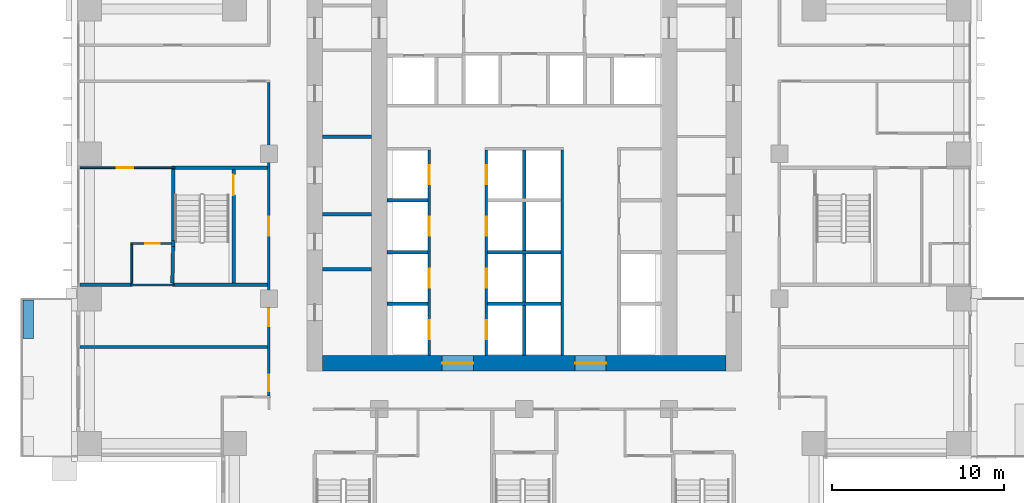
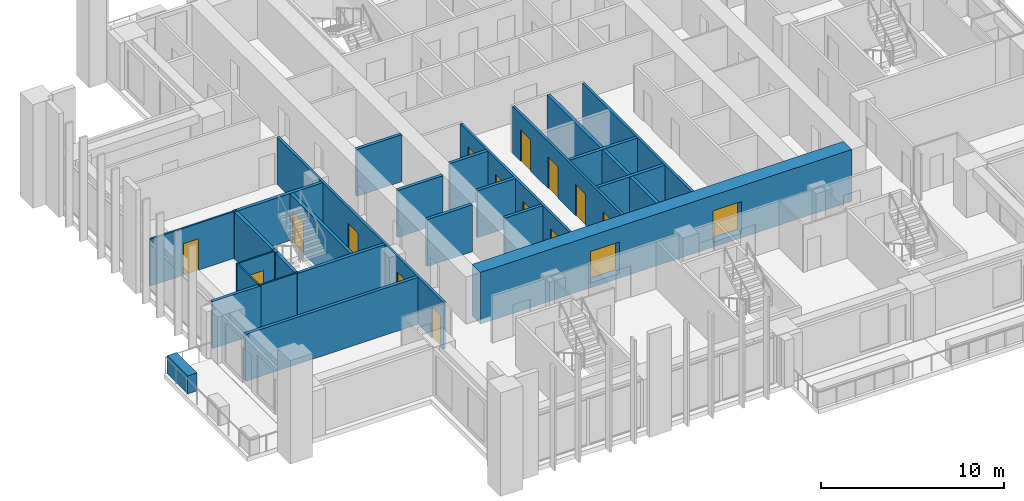
# One storey, part 9 of 19: 27 walls, 16 doors, 16 openings.
"""IFC4 building model written with IfcOpenShell, lengths in metres."""

from ifc_helpers import new_model, si_unit, direction, frame, frame_2d, origin, place, context, subcontext, project, spatial, rectangle, extrude, material, layer, layer_set, type_object, element, fill, save


model = new_model("IFC4")

# Units and contexts
model_context = context("Model", 3, precision=1e-05, world=origin(), true_north=direction((0.0, 1.0)))
body_context = subcontext(model_context, "Body", "Model", "MODEL_VIEW")
ifc_project = project(units=[si_unit("LENGTHUNIT", "METRE"), si_unit("AREAUNIT", "SQUARE_METRE"), si_unit("VOLUMEUNIT", "CUBIC_METRE"), si_unit("PLANEANGLEUNIT", "RADIAN"), si_unit("MASSUNIT", "GRAM", prefix="KILO")], contexts=[model_context])

# Site, building, storey
site_placement = place(None, origin())
site = spatial("IfcSite", under=ifc_project, at=site_placement, CompositionType="ELEMENT")
building_placement = place(site_placement, origin())
building = spatial("IfcBuilding", under=site, at=building_placement, Name="Vermilion Ogive Tower", CompositionType="ELEMENT")
storey_placement = place(building_placement, frame((0.0, 0.0, 62.10009765625)))
storey = spatial("IfcBuildingStorey", under=building, at=storey_placement, Name="L14", CompositionType="ELEMENT", Elevation=62.10009765625)

# Wall, openings, doors
ifc_material_1 = material(Name="Concrete B80", Category="concrete")
ifc_layer_1 = layer(ifc_material_1, 0.89990234375)
ifc_layer_set_1 = layer_set([ifc_layer_1], Name="Core wall 900 B80")
wall_type_1 = type_object("IfcWallType", Name="Core wall 900 B80", PredefinedType="SHEAR", material=ifc_layer_set_1)
wall_1_placement = place(storey_placement, frame((-11.699951171875, -7.949951171875, -0.320068359375), z_axis=(0.0, 0.0, 1.0), x_axis=(1.0, 0.0, 0.0)))
wall_1 = element("IfcWall", 1, at=wall_1_placement, inside=storey, type_object=wall_type_1, Name="L14-CORE-S", PredefinedType="SHEAR", context=body_context, shape_type="SweptSolid", body=[
    extrude(rectangle(XDim=23.39990234375, YDim=0.89990234375, at=frame_2d((11.699951171875, 0.0))), origin(), (0.0, 0.0, 1.0), 3.449951171875),
])
opening_1_placement = place(wall_1_placement, frame((6.949951171875, 0.0, 0.320068359375)))
opening_1 = element("IfcOpeningElement", 2, at=opening_1_placement, cuts=wall_1, Name="Opening DAH009", PredefinedType="OPENING", context=body_context, shape_type="SweptSolid", body=[
    extrude(rectangle(XDim=1.800048828125, YDim=2.10009765625, at=frame_2d((0.89990234375, 1.050048828125))), frame((0.0, 0.4599609375, 0.0), z_axis=(0.0, -1.0, 0.0), x_axis=(1.0, 0.0, 0.0)), (0.0, 0.0, 1.0), 0.919921875),
])
opening_2_placement = place(wall_1_placement, frame((14.64990234375, 0.0, 0.320068359375)))
opening_2 = element("IfcOpeningElement", 3, at=opening_2_placement, cuts=wall_1, Name="Opening DAH010", PredefinedType="OPENING", context=body_context, shape_type="SweptSolid", body=[
    extrude(rectangle(XDim=1.800048828125, YDim=2.10009765625, at=frame_2d((0.89990234375, 1.050048828125))), frame((0.0, 0.4599609375, 0.0), z_axis=(0.0, -1.0, 0.0), x_axis=(1.0, 0.0, 0.0)), (0.0, 0.0, 1.0), 0.919921875),
])
ifc_material_2 = material(Name="Timber door leaf", Category="wood")
door_type_1 = type_object("IfcDoorType", Name="Core entry door 1800 x 2100 FD60S", OperationType="DOUBLE_DOOR_SINGLE_SWING", PredefinedType="DOOR", material=ifc_material_2)
door_1_placement = place(opening_1_placement, origin())
door_1 = element("IfcDoor", 4, at=door_1_placement, inside=storey, type_object=door_type_1, Name="L14-CK-XD1", OperationType="SINGLE_SWING_LEFT", OverallHeight=2.10009765625, OverallWidth=1.800048828125, PredefinedType="DOOR", context=body_context, shape_type="SweptSolid", body=[
    extrude(rectangle(XDim=1.800048828125, YDim=2.10009765625, at=frame_2d((0.89990234375, 1.050048828125))), frame((0.0, 0.02490234375, 0.0), z_axis=(0.0, -1.0, 0.0), x_axis=(1.0, 0.0, 0.0)), (0.0, 0.0, 1.0), 0.050048828125),
])
fill(opening_1, door_1)
door_2_placement = place(opening_2_placement, origin())
door_2 = element("IfcDoor", 5, at=door_2_placement, inside=storey, type_object=door_type_1, Name="L14-CK-XD2", OperationType="SINGLE_SWING_LEFT", OverallHeight=2.10009765625, OverallWidth=1.800048828125, PredefinedType="DOOR", context=body_context, shape_type="SweptSolid", body=[
    extrude(rectangle(XDim=1.800048828125, YDim=2.10009765625, at=frame_2d((0.89990234375, 1.050048828125))), frame((0.0, 0.02490234375, 0.0), z_axis=(0.0, -1.0, 0.0), x_axis=(1.0, 0.0, 0.0)), (0.0, 0.0, 1.0), 0.050048828125),
])
fill(opening_2, door_2)

# Wall
ifc_material_3 = material(Name="Gypsum board partition on steel studs", Category="steel")
ifc_layer_2 = layer(ifc_material_3, 0.10009765625)
ifc_layer_set_2 = layer_set([ifc_layer_2], Name="Partition 100 bath")
wall_type_2 = type_object("IfcWallType", Name="Partition 100 bath", PredefinedType="PARTITIONING", material=ifc_layer_set_2)
wall_2_placement = place(storey_placement, frame((-22.800048828125, -3.39990234375, 0.0), z_axis=(0.0, 0.0, 1.0), x_axis=(1.0, 0.0, 0.0)))
element("IfcWall", 6, at=wall_2_placement, inside=storey, type_object=wall_type_2, Name="L14-W-W017", PredefinedType="PARTITIONING", context=body_context, shape_type="SweptSolid", body=[
    extrude(rectangle(XDim=2.5, YDim=0.10009765625, at=frame_2d((1.25, 0.0))), origin(), (0.0, 0.0, 1.0), 3.1298828125),
])

# Wall, opening, door
wall_3_placement = place(storey_placement, frame((-22.800048828125, -1.0, 0.0), z_axis=(0.0, 0.0, 1.0), x_axis=(1.0, 0.0, 0.0)))
wall_3 = element("IfcWall", 7, at=wall_3_placement, inside=storey, type_object=wall_type_2, Name="L14-W-W021", PredefinedType="PARTITIONING", context=body_context, shape_type="SweptSolid", body=[
    extrude(rectangle(XDim=2.35009765625, YDim=0.10009765625, at=frame_2d((1.175048828125, 0.0))), origin(), (0.0, 0.0, 1.0), 3.1298828125),
])
opening_3_placement = place(wall_3_placement, frame((0.824951171875, 0.0, 0.0)))
opening_3 = element("IfcOpeningElement", 8, at=opening_3_placement, cuts=wall_3, Name="Opening D1G5005", PredefinedType="OPENING", context=body_context, shape_type="SweptSolid", body=[
    extrude(rectangle(XDim=0.85009765625, YDim=2.10009765625, at=frame_2d((0.425048828125, 1.050048828125))), frame((0.0, 0.06005859375, 0.0), z_axis=(0.0, -1.0, 0.0), x_axis=(1.0, 0.0, 0.0)), (0.0, 0.0, 1.0), 0.1201171875),
])
ifc_material_4 = material(Name="Timber door leaf", Category="wood")
door_type_2 = type_object("IfcDoorType", Name="Bath door 850 x 2100 FD30", OperationType="SINGLE_SWING_LEFT", PredefinedType="DOOR", material=ifc_material_4)
door_3_placement = place(opening_3_placement, origin())
door_3 = element("IfcDoor", 9, at=door_3_placement, inside=storey, type_object=door_type_2, Name="L14-D-D005", OperationType="SINGLE_SWING_RIGHT", OverallHeight=2.10009765625, OverallWidth=0.85009765625, PredefinedType="DOOR", context=body_context, shape_type="SweptSolid", body=[
    extrude(rectangle(XDim=0.85009765625, YDim=2.10009765625, at=frame_2d((0.425048828125, 1.050048828125))), frame((0.0, 0.02490234375, 0.0), z_axis=(0.0, -1.0, 0.0), x_axis=(1.0, 0.0, 0.0)), (0.0, 0.0, 1.0), 0.050048828125),
])
fill(opening_3, door_3)

# Wall
wall_4_placement = place(storey_placement, frame((-22.75, -3.300048828125, 0.0), z_axis=(0.0, 0.0, 1.0), x_axis=(0.0, 1.0, 0.0)))
element("IfcWall", 10, at=wall_4_placement, inside=storey, type_object=wall_type_2, Name="L14-W-W036", PredefinedType="PARTITIONING", context=body_context, shape_type="SweptSolid", body=[
    extrude(rectangle(XDim=2.25, YDim=0.10009765625, at=frame_2d((1.125, 0.0))), origin(), (0.0, 0.0, 1.0), 3.1298828125),
])

# Wall, opening, door
ifc_material_5 = material(Name="Gypsum board partition on steel studs", Category="steel")
ifc_layer_3 = layer(ifc_material_5, 0.10009765625)
ifc_layer_set_3 = layer_set([ifc_layer_3], Name="Partition 100 inner")
wall_type_3 = type_object("IfcWallType", Name="Partition 100 inner", PredefinedType="PARTITIONING", material=ifc_layer_set_3)
wall_5_placement = place(storey_placement, frame((-25.75, 3.39990234375, 0.0), z_axis=(0.0, 0.0, 1.0), x_axis=(1.0, 0.0, 0.0)))
wall_5 = element("IfcWall", 11, at=wall_5_placement, inside=storey, type_object=wall_type_3, Name="L14-W-W023", PredefinedType="PARTITIONING", context=body_context, shape_type="SweptSolid", body=[
    extrude(rectangle(XDim=5.5, YDim=0.10009765625, at=frame_2d((2.75, 0.0))), origin(), (0.0, 0.0, 1.0), 3.1298828125),
])
opening_4_placement = place(wall_5_placement, frame((2.125, 0.0, 0.0)))
opening_4 = element("IfcOpeningElement", 12, at=opening_4_placement, cuts=wall_5, Name="Opening D1G5004", PredefinedType="OPENING", context=body_context, shape_type="SweptSolid", body=[
    extrude(rectangle(XDim=0.949951171875, YDim=2.10009765625, at=frame_2d((0.47509765625, 1.050048828125))), frame((0.0, 0.06005859375, 0.0), z_axis=(0.0, -1.0, 0.0), x_axis=(1.0, 0.0, 0.0)), (0.0, 0.0, 1.0), 0.1201171875),
])
ifc_material_6 = material(Name="Timber door leaf", Category="wood")
door_type_3 = type_object("IfcDoorType", Name="Inner door 950 x 2100 FD30", OperationType="SINGLE_SWING_LEFT", PredefinedType="DOOR", material=ifc_material_6)
door_4_placement = place(opening_4_placement, origin())
door_4 = element("IfcDoor", 13, at=door_4_placement, inside=storey, type_object=door_type_3, Name="L14-D-D004", OperationType="SINGLE_SWING_LEFT", OverallHeight=2.10009765625, OverallWidth=0.949951171875, PredefinedType="DOOR", context=body_context, shape_type="SweptSolid", body=[
    extrude(rectangle(XDim=0.949951171875, YDim=2.10009765625, at=frame_2d((0.47509765625, 1.050048828125))), frame((0.0, 0.02490234375, 0.0), z_axis=(0.0, -1.0, 0.0), x_axis=(1.0, 0.0, 0.0)), (0.0, 0.0, 1.0), 0.050048828125),
])
fill(opening_4, door_4)

# Wall, openings, doors
ifc_material_7 = material(Name="Gypsum board partition on steel studs", Category="steel")
ifc_layer_4 = layer(ifc_material_7, 0.14990234375)
ifc_layer_set_4 = layer_set([ifc_layer_4], Name="Partition 150 corridor")
wall_type_4 = type_object("IfcWallType", Name="Partition 150 corridor", PredefinedType="PARTITIONING", material=ifc_layer_set_4)
wall_6_placement = place(storey_placement, frame((-14.800048828125, -9.85009765625, 0.0), z_axis=(0.0, 0.0, 1.0), x_axis=(0.0, 1.0, 0.0)))
wall_6 = element("IfcWall", 14, at=wall_6_placement, inside=storey, type_object=wall_type_4, Name="L14-W-W042", PredefinedType="PARTITIONING", context=body_context, shape_type="SweptSolid", body=[
    extrude(rectangle(XDim=18.175048828125, YDim=0.14990234375, at=frame_2d((9.08740234375, 0.0))), origin(), (0.0, 0.0, 1.0), 3.1298828125),
])
opening_5_placement = place(wall_6_placement, frame((0.300048828125, 0.0, 0.0)))
opening_5 = element("IfcOpeningElement", 15, at=opening_5_placement, cuts=wall_6, Name="Opening D1G5001", PredefinedType="OPENING", context=body_context, shape_type="SweptSolid", body=[
    extrude(rectangle(XDim=0.949951171875, YDim=2.10009765625, at=frame_2d((0.47509765625, 1.050048828125))), frame((0.0, 0.0849609375, 0.0), z_axis=(0.0, -1.0, 0.0), x_axis=(1.0, 0.0, 0.0)), (0.0, 0.0, 1.0), 0.169921875),
])
opening_6_placement = place(wall_6_placement, frame((9.300048828125, 0.0, 0.0)))
opening_6 = element("IfcOpeningElement", 16, at=opening_6_placement, cuts=wall_6, Name="Opening D1G5029", PredefinedType="OPENING", context=body_context, shape_type="SweptSolid", body=[
    extrude(rectangle(XDim=1.10009765625, YDim=2.10009765625, at=frame_2d((0.550048828125, 1.050048828125))), frame((0.0, 0.0849609375, 0.0), z_axis=(0.0, -1.0, 0.0), x_axis=(1.0, 0.0, 0.0)), (0.0, 0.0, 1.0), 0.169921875),
])
opening_7_placement = place(wall_6_placement, frame((4.050048828125, 0.0, 0.0)))
opening_7 = element("IfcOpeningElement", 17, at=opening_7_placement, cuts=wall_6, Name="Opening D1G5031", PredefinedType="OPENING", context=body_context, shape_type="SweptSolid", body=[
    extrude(rectangle(XDim=1.0, YDim=2.10009765625, at=frame_2d((0.5, 1.050048828125))), frame((0.0, 0.0849609375, 0.0), z_axis=(0.0, -1.0, 0.0), x_axis=(1.0, 0.0, 0.0)), (0.0, 0.0, 1.0), 0.169921875),
])
ifc_material_8 = material(Name="Timber door leaf", Category="wood")
door_type_4 = type_object("IfcDoorType", Name="Stair door 1100 x 2100 FD60S", OperationType="SINGLE_SWING_LEFT", PredefinedType="DOOR", material=ifc_material_8)
door_5_placement = place(opening_6_placement, origin())
door_5 = element("IfcDoor", 18, at=door_5_placement, inside=storey, type_object=door_type_4, Name="L14-D-D029", OperationType="SINGLE_SWING_RIGHT", OverallHeight=2.10009765625, OverallWidth=1.10009765625, PredefinedType="DOOR", context=body_context, shape_type="SweptSolid", body=[
    extrude(rectangle(XDim=1.10009765625, YDim=2.10009765625, at=frame_2d((0.550048828125, 1.050048828125))), frame((0.0, 0.02490234375, 0.0), z_axis=(0.0, -1.0, 0.0), x_axis=(1.0, 0.0, 0.0)), (0.0, 0.0, 1.0), 0.050048828125),
])
fill(opening_6, door_5)
ifc_material_9 = material(Name="Timber door leaf", Category="wood")
door_type_5 = type_object("IfcDoorType", Name="Unit door 1000 x 2100 FD30S", OperationType="SINGLE_SWING_LEFT", PredefinedType="DOOR", material=ifc_material_9)
door_6_placement = place(opening_7_placement, origin())
door_6 = element("IfcDoor", 19, at=door_6_placement, inside=storey, type_object=door_type_5, Name="L14-D-D031", OperationType="SINGLE_SWING_LEFT", OverallHeight=2.10009765625, OverallWidth=1.0, PredefinedType="DOOR", context=body_context, shape_type="SweptSolid", body=[
    extrude(rectangle(XDim=1.0, YDim=2.10009765625, at=frame_2d((0.5, 1.050048828125))), frame((0.0, 0.02490234375, 0.0), z_axis=(0.0, -1.0, 0.0), x_axis=(1.0, 0.0, 0.0)), (0.0, 0.0, 1.0), 0.050048828125),
])
fill(opening_7, door_6)
ifc_material_10 = material(Name="Timber door leaf", Category="wood")
door_type_6 = type_object("IfcDoorType", Name="Unit door 950 x 2100 FD30S", OperationType="SINGLE_SWING_LEFT", PredefinedType="DOOR", material=ifc_material_10)
door_7_placement = place(opening_5_placement, origin())
door_7 = element("IfcDoor", 20, at=door_7_placement, inside=storey, type_object=door_type_6, Name="L14-D-D001", OperationType="SINGLE_SWING_LEFT", OverallHeight=2.10009765625, OverallWidth=0.949951171875, PredefinedType="DOOR", context=body_context, shape_type="SweptSolid", body=[
    extrude(rectangle(XDim=0.949951171875, YDim=2.10009765625, at=frame_2d((0.47509765625, 1.050048828125))), frame((0.0, 0.02490234375, 0.0), z_axis=(0.0, -1.0, 0.0), x_axis=(1.0, 0.0, 0.0)), (0.0, 0.0, 1.0), 0.050048828125),
])
fill(opening_5, door_7)

wall_7_placement = place(storey_placement, frame((-5.5, -7.4990234375, 0.0), z_axis=(0.0, 0.0, 1.0), x_axis=(0.0, 1.0, 0.0)))
wall_7 = element("IfcWall", 21, at=wall_7_placement, inside=storey, type_object=wall_type_4, Name="L14-CK-W-W022", PredefinedType="PARTITIONING", context=body_context, shape_type="SweptSolid", body=[
    extrude(rectangle(XDim=11.924072265625, YDim=0.14990234375, at=frame_2d((5.9619140625, 0.0))), origin(), (0.0, 0.0, 1.0), 3.1298828125),
])
opening_8_placement = place(wall_7_placement, frame((0.948974609375, 0.0, 0.0)))
opening_8 = element("IfcOpeningElement", 22, at=opening_8_placement, cuts=wall_7, Name="Opening DAA102", PredefinedType="OPENING", context=body_context, shape_type="SweptSolid", body=[
    extrude(rectangle(XDim=1.10009765625, YDim=2.10009765625, at=frame_2d((0.550048828125, 1.050048828125))), frame((0.0, 0.0849609375, 0.0), z_axis=(0.0, -1.0, 0.0), x_axis=(1.0, 0.0, 0.0)), (0.0, 0.0, 1.0), 0.169921875),
])
opening_9_placement = place(wall_7_placement, frame((3.948974609375, 0.0, 0.0)))
opening_9 = element("IfcOpeningElement", 23, at=opening_9_placement, cuts=wall_7, Name="Opening DAA105", PredefinedType="OPENING", context=body_context, shape_type="SweptSolid", body=[
    extrude(rectangle(XDim=1.10009765625, YDim=2.10009765625, at=frame_2d((0.550048828125, 1.050048828125))), frame((0.0, 0.0849609375, 0.0), z_axis=(0.0, -1.0, 0.0), x_axis=(1.0, 0.0, 0.0)), (0.0, 0.0, 1.0), 0.169921875),
])
opening_10_placement = place(wall_7_placement, frame((6.948974609375, 0.0, 0.0)))
opening_10 = element("IfcOpeningElement", 24, at=opening_10_placement, cuts=wall_7, Name="Opening DAA106", PredefinedType="OPENING", context=body_context, shape_type="SweptSolid", body=[
    extrude(rectangle(XDim=1.10009765625, YDim=2.10009765625, at=frame_2d((0.550048828125, 1.050048828125))), frame((0.0, 0.0849609375, 0.0), z_axis=(0.0, -1.0, 0.0), x_axis=(1.0, 0.0, 0.0)), (0.0, 0.0, 1.0), 0.169921875),
])
opening_11_placement = place(wall_7_placement, frame((9.948974609375, 0.0, 0.0)))
opening_11 = element("IfcOpeningElement", 25, at=opening_11_placement, cuts=wall_7, Name="Opening DAA107", PredefinedType="OPENING", context=body_context, shape_type="SweptSolid", body=[
    extrude(rectangle(XDim=1.10009765625, YDim=2.10009765625, at=frame_2d((0.550048828125, 1.050048828125))), frame((0.0, 0.0849609375, 0.0), z_axis=(0.0, -1.0, 0.0), x_axis=(1.0, 0.0, 0.0)), (0.0, 0.0, 1.0), 0.169921875),
])
ifc_material_11 = material(Name="Stainless steel", Category="steel")
door_type_7 = type_object("IfcDoorType", Name="Lift landing door 1100 x 2100", OperationType="SLIDING_TO_LEFT", PredefinedType="DOOR", material=ifc_material_11)
door_8_placement = place(opening_8_placement, origin())
door_8 = element("IfcDoor", 26, at=door_8_placement, inside=storey, type_object=door_type_7, Name="L14-CK-D-D001", OperationType="SLIDING_TO_RIGHT", OverallHeight=2.10009765625, OverallWidth=1.10009765625, PredefinedType="DOOR", context=body_context, shape_type="SweptSolid", body=[
    extrude(rectangle(XDim=1.10009765625, YDim=2.10009765625, at=frame_2d((0.550048828125, 1.050048828125))), frame((0.0, 0.02490234375, 0.0), z_axis=(0.0, -1.0, 0.0), x_axis=(1.0, 0.0, 0.0)), (0.0, 0.0, 1.0), 0.050048828125),
])
fill(opening_8, door_8)
door_9_placement = place(opening_9_placement, origin())
door_9 = element("IfcDoor", 27, at=door_9_placement, inside=storey, type_object=door_type_7, Name="L14-CK-D-D002", OperationType="SLIDING_TO_RIGHT", OverallHeight=2.10009765625, OverallWidth=1.10009765625, PredefinedType="DOOR", context=body_context, shape_type="SweptSolid", body=[
    extrude(rectangle(XDim=1.10009765625, YDim=2.10009765625, at=frame_2d((0.550048828125, 1.050048828125))), frame((0.0, 0.02490234375, 0.0), z_axis=(0.0, -1.0, 0.0), x_axis=(1.0, 0.0, 0.0)), (0.0, 0.0, 1.0), 0.050048828125),
])
fill(opening_9, door_9)
door_10_placement = place(opening_10_placement, origin())
door_10 = element("IfcDoor", 28, at=door_10_placement, inside=storey, type_object=door_type_7, Name="L14-CK-D-D003", OperationType="SLIDING_TO_RIGHT", OverallHeight=2.10009765625, OverallWidth=1.10009765625, PredefinedType="DOOR", context=body_context, shape_type="SweptSolid", body=[
    extrude(rectangle(XDim=1.10009765625, YDim=2.10009765625, at=frame_2d((0.550048828125, 1.050048828125))), frame((0.0, 0.02490234375, 0.0), z_axis=(0.0, -1.0, 0.0), x_axis=(1.0, 0.0, 0.0)), (0.0, 0.0, 1.0), 0.050048828125),
])
fill(opening_10, door_10)
door_11_placement = place(opening_11_placement, origin())
door_11 = element("IfcDoor", 29, at=door_11_placement, inside=storey, type_object=door_type_7, Name="L14-CK-D-D004", OperationType="SLIDING_TO_RIGHT", OverallHeight=2.10009765625, OverallWidth=1.10009765625, PredefinedType="DOOR", context=body_context, shape_type="SweptSolid", body=[
    extrude(rectangle(XDim=1.10009765625, YDim=2.10009765625, at=frame_2d((0.550048828125, 1.050048828125))), frame((0.0, 0.02490234375, 0.0), z_axis=(0.0, -1.0, 0.0), x_axis=(1.0, 0.0, 0.0)), (0.0, 0.0, 1.0), 0.050048828125),
])
fill(opening_11, door_11)

wall_8_placement = place(storey_placement, frame((-2.199951171875, -7.4990234375, 0.0), z_axis=(0.0, 0.0, 1.0), x_axis=(0.0, 1.0, 0.0)))
wall_8 = element("IfcWall", 30, at=wall_8_placement, inside=storey, type_object=wall_type_4, Name="L14-CK-W-W027", PredefinedType="PARTITIONING", context=body_context, shape_type="SweptSolid", body=[
    extrude(rectangle(XDim=11.924072265625, YDim=0.14990234375, at=frame_2d((5.9619140625, 0.0))), origin(), (0.0, 0.0, 1.0), 3.1298828125),
])
opening_12_placement = place(wall_8_placement, frame((0.948974609375, 0.0, 0.0)))
opening_12 = element("IfcOpeningElement", 31, at=opening_12_placement, cuts=wall_8, Name="Opening DAA108", PredefinedType="OPENING", context=body_context, shape_type="SweptSolid", body=[
    extrude(rectangle(XDim=1.10009765625, YDim=2.10009765625, at=frame_2d((0.550048828125, 1.050048828125))), frame((0.0, 0.0849609375, 0.0), z_axis=(0.0, -1.0, 0.0), x_axis=(1.0, 0.0, 0.0)), (0.0, 0.0, 1.0), 0.169921875),
])
opening_13_placement = place(wall_8_placement, frame((3.948974609375, 0.0, 0.0)))
opening_13 = element("IfcOpeningElement", 32, at=opening_13_placement, cuts=wall_8, Name="Opening DAA109", PredefinedType="OPENING", context=body_context, shape_type="SweptSolid", body=[
    extrude(rectangle(XDim=1.10009765625, YDim=2.10009765625, at=frame_2d((0.550048828125, 1.050048828125))), frame((0.0, 0.0849609375, 0.0), z_axis=(0.0, -1.0, 0.0), x_axis=(1.0, 0.0, 0.0)), (0.0, 0.0, 1.0), 0.169921875),
])
opening_14_placement = place(wall_8_placement, frame((6.948974609375, 0.0, 0.0)))
opening_14 = element("IfcOpeningElement", 33, at=opening_14_placement, cuts=wall_8, Name="Opening DAA110", PredefinedType="OPENING", context=body_context, shape_type="SweptSolid", body=[
    extrude(rectangle(XDim=1.10009765625, YDim=2.10009765625, at=frame_2d((0.550048828125, 1.050048828125))), frame((0.0, 0.0849609375, 0.0), z_axis=(0.0, -1.0, 0.0), x_axis=(1.0, 0.0, 0.0)), (0.0, 0.0, 1.0), 0.169921875),
])
opening_15_placement = place(wall_8_placement, frame((9.948974609375, 0.0, 0.0)))
opening_15 = element("IfcOpeningElement", 34, at=opening_15_placement, cuts=wall_8, Name="Opening DAA111", PredefinedType="OPENING", context=body_context, shape_type="SweptSolid", body=[
    extrude(rectangle(XDim=1.10009765625, YDim=2.10009765625, at=frame_2d((0.550048828125, 1.050048828125))), frame((0.0, 0.0849609375, 0.0), z_axis=(0.0, -1.0, 0.0), x_axis=(1.0, 0.0, 0.0)), (0.0, 0.0, 1.0), 0.169921875),
])
door_12_placement = place(opening_12_placement, origin())
door_12 = element("IfcDoor", 35, at=door_12_placement, inside=storey, type_object=door_type_7, Name="L14-CK-D-D005", OperationType="SLIDING_TO_RIGHT", OverallHeight=2.10009765625, OverallWidth=1.10009765625, PredefinedType="DOOR", context=body_context, shape_type="SweptSolid", body=[
    extrude(rectangle(XDim=1.10009765625, YDim=2.10009765625, at=frame_2d((0.550048828125, 1.050048828125))), frame((0.0, 0.02490234375, 0.0), z_axis=(0.0, -1.0, 0.0), x_axis=(1.0, 0.0, 0.0)), (0.0, 0.0, 1.0), 0.050048828125),
])
fill(opening_12, door_12)
door_13_placement = place(opening_13_placement, origin())
door_13 = element("IfcDoor", 36, at=door_13_placement, inside=storey, type_object=door_type_7, Name="L14-CK-D-D006", OperationType="SLIDING_TO_RIGHT", OverallHeight=2.10009765625, OverallWidth=1.10009765625, PredefinedType="DOOR", context=body_context, shape_type="SweptSolid", body=[
    extrude(rectangle(XDim=1.10009765625, YDim=2.10009765625, at=frame_2d((0.550048828125, 1.050048828125))), frame((0.0, 0.02490234375, 0.0), z_axis=(0.0, -1.0, 0.0), x_axis=(1.0, 0.0, 0.0)), (0.0, 0.0, 1.0), 0.050048828125),
])
fill(opening_13, door_13)
door_14_placement = place(opening_14_placement, origin())
door_14 = element("IfcDoor", 37, at=door_14_placement, inside=storey, type_object=door_type_7, Name="L14-CK-D-D007", OperationType="SLIDING_TO_RIGHT", OverallHeight=2.10009765625, OverallWidth=1.10009765625, PredefinedType="DOOR", context=body_context, shape_type="SweptSolid", body=[
    extrude(rectangle(XDim=1.10009765625, YDim=2.10009765625, at=frame_2d((0.550048828125, 1.050048828125))), frame((0.0, 0.02490234375, 0.0), z_axis=(0.0, -1.0, 0.0), x_axis=(1.0, 0.0, 0.0)), (0.0, 0.0, 1.0), 0.050048828125),
])
fill(opening_14, door_14)
door_15_placement = place(opening_15_placement, origin())
door_15 = element("IfcDoor", 38, at=door_15_placement, inside=storey, type_object=door_type_7, Name="L14-CK-D-D008", OperationType="SLIDING_TO_RIGHT", OverallHeight=2.10009765625, OverallWidth=1.10009765625, PredefinedType="DOOR", context=body_context, shape_type="SweptSolid", body=[
    extrude(rectangle(XDim=1.10009765625, YDim=2.10009765625, at=frame_2d((0.550048828125, 1.050048828125))), frame((0.0, 0.02490234375, 0.0), z_axis=(0.0, -1.0, 0.0), x_axis=(1.0, 0.0, 0.0)), (0.0, 0.0, 1.0), 0.050048828125),
])
fill(opening_15, door_15)

# Walls
wall_9_placement = place(storey_placement, frame((2.199951171875, -7.4990234375, 0.0), z_axis=(0.0, 0.0, 1.0), x_axis=(0.0, 1.0, 0.0)))
element("IfcWall", 39, at=wall_9_placement, inside=storey, type_object=wall_type_4, Name="L14-CK-W-W034", PredefinedType="PARTITIONING", context=body_context, shape_type="SweptSolid", body=[
    extrude(rectangle(XDim=11.924072265625, YDim=0.14990234375, at=frame_2d((5.9619140625, 0.0))), origin(), (0.0, 0.0, 1.0), 3.1298828125),
])
ifc_material_12 = material(Name="Gypsum board partition on steel studs", Category="steel")
ifc_layer_5 = layer(ifc_material_12, 0.199951171875)
ifc_layer_set_5 = layer_set([ifc_layer_5], Name="Partition 200 party")
wall_type_5 = type_object("IfcWallType", Name="Partition 200 party", PredefinedType="PARTITIONING", material=ifc_layer_set_5)
wall_10_placement = place(storey_placement, frame((-25.75, -7.0, 0.0), z_axis=(0.0, 0.0, 1.0), x_axis=(1.0, 0.0, 0.0)))
element("IfcWall", 40, at=wall_10_placement, inside=storey, type_object=wall_type_5, Name="L14-W-W014", PredefinedType="PARTITIONING", context=body_context, shape_type="SweptSolid", body=[
    extrude(rectangle(XDim=10.875, YDim=0.199951171875, at=frame_2d((5.4375, 0.0))), origin(), (0.0, 0.0, 1.0), 3.1298828125),
])
wall_11_placement = place(storey_placement, frame((-25.75, -3.39990234375, 0.0), z_axis=(0.0, 0.0, 1.0), x_axis=(1.0, 0.0, 0.0)))
element("IfcWall", 41, at=wall_11_placement, inside=storey, type_object=wall_type_5, Name="L14-W-W016", PredefinedType="PARTITIONING", context=body_context, shape_type="SweptSolid", body=[
    extrude(rectangle(XDim=3.050048828125, YDim=0.199951171875, at=frame_2d((1.52490234375, 0.0))), origin(), (0.0, 0.0, 1.0), 3.1298828125),
])
wall_12_placement = place(storey_placement, frame((-7.948974609375, -4.5, 0.0), z_axis=(0.0, 0.0, 1.0), x_axis=(1.0, 0.0, 0.0)))
element("IfcWall", 42, at=wall_12_placement, inside=storey, type_object=wall_type_5, Name="L14-CK-W-W001", PredefinedType="PARTITIONING", context=body_context, shape_type="SweptSolid", body=[
    extrude(rectangle(XDim=2.3740234375, YDim=0.199951171875, at=frame_2d((1.18701171875, 0.0))), origin(), (0.0, 0.0, 1.0), 3.1298828125),
])
wall_13_placement = place(storey_placement, frame((-2.125, -4.5, 0.0), z_axis=(0.0, 0.0, 1.0), x_axis=(1.0, 0.0, 0.0)))
element("IfcWall", 43, at=wall_13_placement, inside=storey, type_object=wall_type_5, Name="L14-CK-W-W002", PredefinedType="PARTITIONING", context=body_context, shape_type="SweptSolid", body=[
    extrude(rectangle(XDim=4.25, YDim=0.199951171875, at=frame_2d((2.125, 0.0))), origin(), (0.0, 0.0, 1.0), 3.1298828125),
])
wall_14_placement = place(storey_placement, frame((-7.948974609375, -1.5, 0.0), z_axis=(0.0, 0.0, 1.0), x_axis=(1.0, 0.0, 0.0)))
element("IfcWall", 44, at=wall_14_placement, inside=storey, type_object=wall_type_5, Name="L14-CK-W-W004", PredefinedType="PARTITIONING", context=body_context, shape_type="SweptSolid", body=[
    extrude(rectangle(XDim=2.3740234375, YDim=0.199951171875, at=frame_2d((1.18701171875, 0.0))), origin(), (0.0, 0.0, 1.0), 3.1298828125),
])
wall_15_placement = place(storey_placement, frame((-2.125, -1.5, 0.0), z_axis=(0.0, 0.0, 1.0), x_axis=(1.0, 0.0, 0.0)))
element("IfcWall", 45, at=wall_15_placement, inside=storey, type_object=wall_type_5, Name="L14-CK-W-W005", PredefinedType="PARTITIONING", context=body_context, shape_type="SweptSolid", body=[
    extrude(rectangle(XDim=4.25, YDim=0.199951171875, at=frame_2d((2.125, 0.0))), origin(), (0.0, 0.0, 1.0), 3.1298828125),
])
wall_16_placement = place(storey_placement, frame((-7.948974609375, 1.5, 0.0), z_axis=(0.0, 0.0, 1.0), x_axis=(1.0, 0.0, 0.0)))
element("IfcWall", 46, at=wall_16_placement, inside=storey, type_object=wall_type_5, Name="L14-CK-W-W007", PredefinedType="PARTITIONING", context=body_context, shape_type="SweptSolid", body=[
    extrude(rectangle(XDim=2.3740234375, YDim=0.199951171875, at=frame_2d((1.18701171875, 0.0))), origin(), (0.0, 0.0, 1.0), 3.1298828125),
])
wall_17_placement = place(storey_placement, frame((0.0, -7.4990234375, 0.0), z_axis=(0.0, 0.0, 1.0), x_axis=(0.0, 1.0, 0.0)))
element("IfcWall", 47, at=wall_17_placement, inside=storey, type_object=wall_type_5, Name="L14-CK-W-W030", PredefinedType="PARTITIONING", context=body_context, shape_type="SweptSolid", body=[
    extrude(rectangle(XDim=11.924072265625, YDim=0.199951171875, at=frame_2d((5.9619140625, 0.0))), origin(), (0.0, 0.0, 1.0), 3.1298828125),
])
for number, where, z_axis, x_axis, name in (
    (48, (-11.698974609375, -2.5, 0.0), (0.0, 0.0, 1.0), (1.0, 0.0, 0.0), "L14-CKW-W-W001"),
    (49, (-11.698974609375, 0.699951171875, 0.0), (0.0, 0.0, 1.0), (1.0, 0.0, 0.0), "L14-CKW-W-W002"),
    (50, (-11.698974609375, 5.199951171875, 0.0), (0.0, 0.0, 1.0), (1.0, 0.0, 0.0), "L14-CKW-W-W003"),
):
    element("IfcWall", number, at=place(storey_placement, frame(where, z_axis=z_axis, x_axis=x_axis)), inside=storey, type_object=wall_type_5, Name=name, PredefinedType="PARTITIONING", context=body_context, shape_type="SweptSolid", body=[
        extrude(rectangle(XDim=2.847900390625, YDim=0.199951171875, at=frame_2d((1.423828125, 0.0))), origin(), (0.0, 0.0, 1.0), 3.1298828125),
    ])
ifc_material_13 = material(Name="Concrete B60", Category="concrete")
ifc_layer_6 = layer(ifc_material_13, 0.199951171875)
ifc_layer_set_6 = layer_set([ifc_layer_6], Name="Stair shaft wall 200 Concrete B60")
wall_type_6 = type_object("IfcWallType", Name="Stair shaft wall 200 Concrete B60", PredefinedType="SOLIDWALL", material=ifc_layer_set_6)
wall_18_placement = place(storey_placement, frame((-20.39990234375, -3.39990234375, 0.0), z_axis=(0.0, 0.0, 1.0), x_axis=(1.0, 0.0, 0.0)))
element("IfcWall", 51, at=wall_18_placement, inside=storey, type_object=wall_type_6, Name="L14-W-W018", PredefinedType="SOLIDWALL", context=body_context, shape_type="SweptSolid", body=[
    extrude(rectangle(XDim=5.52490234375, YDim=0.199951171875, at=frame_2d((2.762451171875, 0.0))), origin(), (0.0, 0.0, 1.0), 3.1298828125),
])
wall_19_placement = place(storey_placement, frame((-20.449951171875, 3.39990234375, 0.0), z_axis=(0.0, 0.0, 1.0), x_axis=(1.0, 0.0, 0.0)))
element("IfcWall", 52, at=wall_19_placement, inside=storey, type_object=wall_type_6, Name="L14-W-W024", PredefinedType="SOLIDWALL", context=body_context, shape_type="SweptSolid", body=[
    extrude(rectangle(XDim=5.574951171875, YDim=0.199951171875, at=frame_2d((2.78759765625, 0.0))), origin(), (0.0, 0.0, 1.0), 3.1298828125),
])
wall_20_placement = place(storey_placement, frame((-20.400146484375, -3.300048828125, 0.0), z_axis=(0.0, 0.0, 1.0), x_axis=(0.022687568549, 0.99974260399, 0.0)))
element("IfcWall", 53, at=wall_20_placement, inside=storey, type_object=wall_type_6, Name="L14-W-W037", PredefinedType="SOLIDWALL", context=body_context, shape_type="SweptSolid", body=[
    extrude(rectangle(XDim=2.130615234375, YDim=0.199951171875, at=frame_2d((1.0654296875, 0.0))), origin(), (0.0, 0.0, 1.0), 3.1298828125),
])
wall_21_placement = place(storey_placement, frame((-20.35009765625, -0.830078125, 0.0), z_axis=(0.0, 0.0, 1.0), x_axis=(0.0, 1.0, 0.0)))
element("IfcWall", 54, at=wall_21_placement, inside=storey, type_object=wall_type_6, Name="L14-W-W038", PredefinedType="SOLIDWALL", context=body_context, shape_type="SweptSolid", body=[
    extrude(rectangle(XDim=4.130126953125, YDim=0.199951171875, at=frame_2d((2.06494140625, 0.0))), origin(), (0.0, 0.0, 1.0), 3.1298828125),
])

# Wall, opening, door
wall_22_placement = place(storey_placement, frame((-16.85009765625, -3.300048828125, 0.0), z_axis=(0.0, 0.0, 1.0), x_axis=(0.0, 1.0, 0.0)))
wall_22 = element("IfcWall", 55, at=wall_22_placement, inside=storey, type_object=wall_type_6, Name="L14-W-W040", PredefinedType="SOLIDWALL", context=body_context, shape_type="SweptSolid", body=[
    extrude(rectangle(XDim=6.60009765625, YDim=0.199951171875, at=frame_2d((3.300048828125, 0.0))), origin(), (0.0, 0.0, 1.0), 3.1298828125),
])
opening_16_placement = place(wall_22_placement, frame((5.10009765625, 0.0, 0.0)))
opening_16 = element("IfcOpeningElement", 56, at=opening_16_placement, cuts=wall_22, Name="Opening D1G5030", PredefinedType="OPENING", context=body_context, shape_type="SweptSolid", body=[
    extrude(rectangle(XDim=1.199951171875, YDim=2.10009765625, at=frame_2d((0.60009765625, 1.050048828125))), frame((0.0, 0.10986328125, 0.0), z_axis=(0.0, -1.0, 0.0), x_axis=(1.0, 0.0, 0.0)), (0.0, 0.0, 1.0), 0.219970703125),
])
ifc_material_14 = material(Name="Timber door leaf", Category="wood")
door_type_8 = type_object("IfcDoorType", Name="Stair door 1200 x 2100 FD60S", OperationType="SINGLE_SWING_LEFT", PredefinedType="DOOR", material=ifc_material_14)
door_16_placement = place(opening_16_placement, origin())
door_16 = element("IfcDoor", 57, at=door_16_placement, inside=storey, type_object=door_type_8, Name="L14-D-D030", OperationType="SINGLE_SWING_RIGHT", OverallHeight=2.10009765625, OverallWidth=1.199951171875, PredefinedType="DOOR", context=body_context, shape_type="SweptSolid", body=[
    extrude(rectangle(XDim=1.199951171875, YDim=2.10009765625, at=frame_2d((0.60009765625, 1.050048828125))), frame((0.0, 0.02490234375, 0.0), z_axis=(0.0, -1.0, 0.0), x_axis=(1.0, 0.0, 0.0)), (0.0, 0.0, 1.0), 0.050048828125),
])
fill(opening_16, door_16)

# Walls
wall_23_placement = place(storey_placement, frame((-20.35009765625, -1.169921875, 0.0), z_axis=(0.0, 0.0, 1.0), x_axis=(0.0, 1.0, 0.0)))
element("IfcWall", 58, at=wall_23_placement, inside=storey, type_object=wall_type_6, Name="L14-SW-ST9-W1", PredefinedType="SOLIDWALL", context=body_context, shape_type="SweptSolid", body=[
    extrude(rectangle(XDim=0.33984375, YDim=0.199951171875, at=frame_2d((0.169921875, 0.0))), origin(), (0.0, 0.0, 1.0), 3.1298828125),
])
ifc_material_15 = material(Name="Concrete B40", Category="concrete")
ifc_layer_7 = layer(ifc_material_15, 0.60009765625)
ifc_layer_set_7 = layer_set([ifc_layer_7], Name="Structural planter")
wall_type_7 = type_object("IfcWallType", Name="Structural planter", PredefinedType="USERDEFINED", material=ifc_layer_set_7)
wall_24_placement = place(storey_placement, frame((-28.75, -4.260009765625, -0.0400390625), z_axis=(0.0, 0.0, 1.0), x_axis=(0.0, -1.0, 0.0)))
element("IfcWall", 59, at=wall_24_placement, inside=storey, type_object=wall_type_7, Name="Planter W03A1", ObjectType="PLANTER", PredefinedType="USERDEFINED", context=body_context, shape_type="SweptSolid", body=[
    extrude(rectangle(XDim=2.239990234375, YDim=0.60009765625, at=frame_2d((1.1201171875, 0.0))), origin(), (0.0, 0.0, 1.0), 1.199951171875),
])

save(model, "model.ifc")
